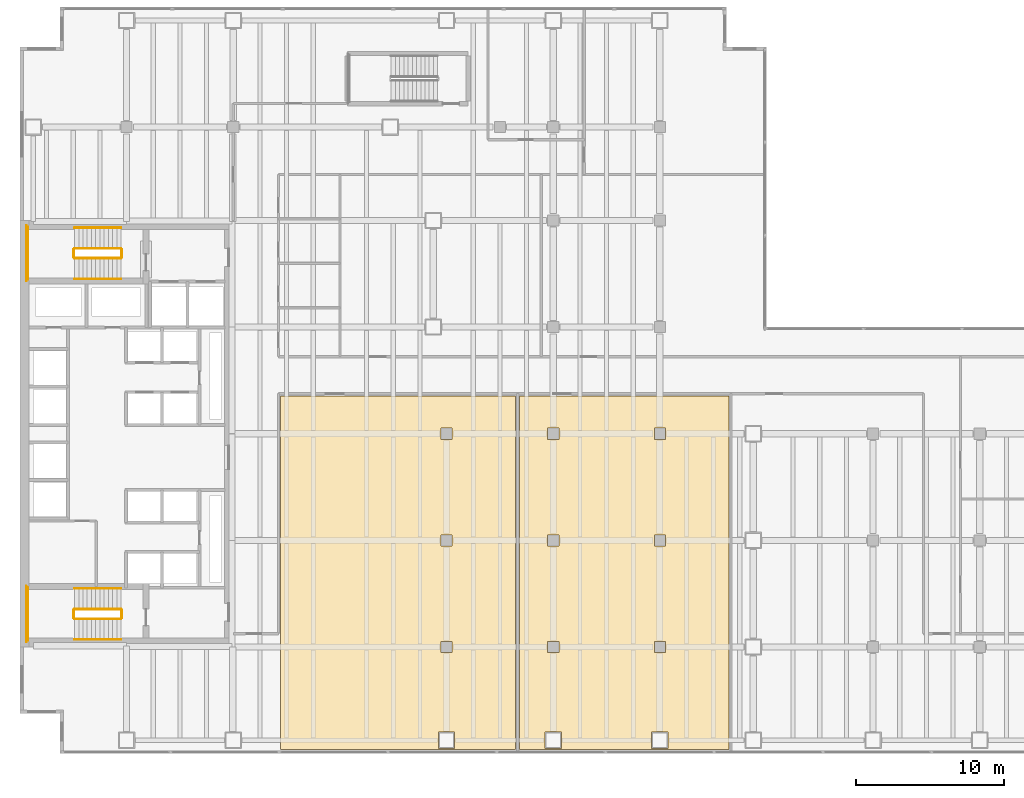
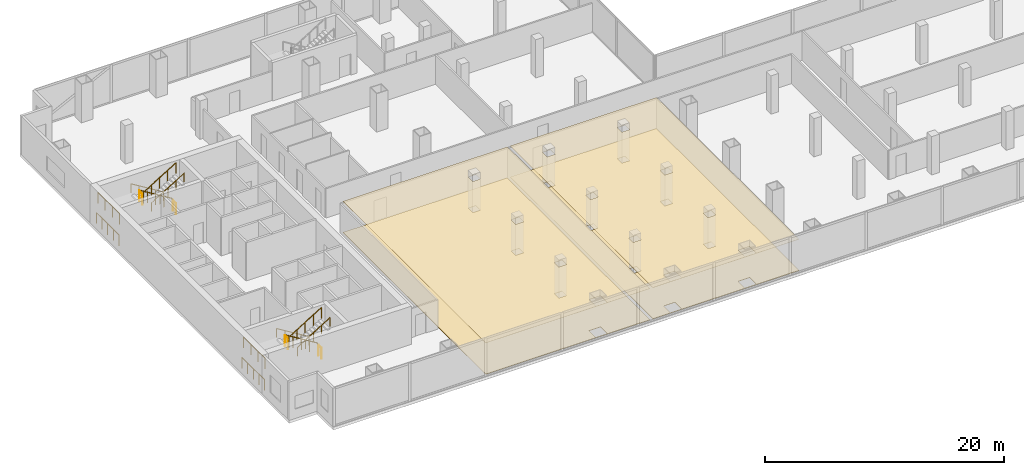
# One storey, part 27 of 28: 16 railings, 4 coverings.
"""IFC4 building model written with IfcOpenShell, lengths in metres."""

from ifc_helpers import new_model, si_unit, direction, frame, origin, origin_2d, place, context, subcontext, project, spatial, polyline, circle, outline, extrude, material, layer, layer_set, type_object, element, save


model = new_model("IFC4")

# Units and contexts
model_context = context("Model", 3, precision=1e-05, world=origin(), true_north=direction((0.0, 1.0)))
body_context = subcontext(model_context, "Body", "Model", "MODEL_VIEW")
ifc_project = project(units=[si_unit("LENGTHUNIT", "METRE"), si_unit("AREAUNIT", "SQUARE_METRE"), si_unit("VOLUMEUNIT", "CUBIC_METRE"), si_unit("PLANEANGLEUNIT", "RADIAN"), si_unit("MASSUNIT", "GRAM", prefix="KILO")], contexts=[model_context])

# Site, building, storey
site_placement = place(None, origin())
site = spatial("IfcSite", under=ifc_project, at=site_placement, CompositionType="ELEMENT")
building_placement = place(site_placement, origin())
building = spatial("IfcBuilding", under=site, at=building_placement, Name="Cobrela Telecom Tower", CompositionType="ELEMENT")
storey_placement = place(building_placement, frame((0.0, 0.0, 17.85009765625)))
storey = spatial("IfcBuildingStorey", under=building, at=storey_placement, Name="L04", CompositionType="ELEMENT", Elevation=17.85009765625)

# Coverings
ifc_material_1 = material(Name="Mineral Fibre Acoustic Ceiling Tile")
ifc_layer_1 = layer(ifc_material_1, 0.02490234375)
ifc_layer_set_1 = layer_set([ifc_layer_1], Name="Mineral Fibre Acoustic Ceiling Tile")
covering_type_1 = type_object("IfcCoveringType", Name="COV-CEIL-ACT", PredefinedType="CEILING", material=ifc_layer_set_1)
covering_1_placement = place(storey_placement, frame((0.0, 0.0, 3.18994140625)))
element("IfcCovering", 1, at=covering_1_placement, inside=storey, type_object=covering_type_1, Name="L04 Staff Fitness Gym Suspended Acoustic Ceiling", PredefinedType="CEILING", context=body_context, shape_type="SweptSolid", body=[
    extrude(outline(polyline([(33.4599609375, 0.2900390625), (17.590087890625, 0.2900390625), (17.590087890625, 24.159912109375), (33.4599609375, 24.159912109375), (33.4599609375, 0.2900390625)]), holes=[polyline([(29.35009765625, 0.35009765625), (29.35009765625, 1.449951171875), (28.25, 1.449951171875), (28.25, 0.35009765625), (29.35009765625, 0.35009765625)]), polyline([(28.425048828125, 6.824951171875), (29.175048828125, 6.824951171875), (29.175048828125, 7.574951171875), (28.425048828125, 7.574951171875), (28.425048828125, 6.824951171875)]), polyline([(29.175048828125, 14.02490234375), (29.175048828125, 14.77490234375), (28.425048828125, 14.77490234375), (28.425048828125, 14.02490234375), (29.175048828125, 14.02490234375)]), polyline([(28.425048828125, 21.22509765625), (29.175048828125, 21.22509765625), (29.175048828125, 21.97509765625), (28.425048828125, 21.97509765625), (28.425048828125, 21.22509765625)])]), origin(), (0.0, 0.0, 1.0), 0.02490234375),
])
covering_2_placement = place(storey_placement, frame((0.0, 0.0, 3.18994140625)))
element("IfcCovering", 2, at=covering_2_placement, inside=storey, type_object=covering_type_1, Name="L04 Collaboration Coffee Hub Suspended Acoustic Ceiling", PredefinedType="CEILING", context=body_context, shape_type="SweptSolid", body=[
    extrude(outline(polyline([(47.860107421875, 0.2900390625), (33.739990234375, 0.2900390625), (33.739990234375, 24.159912109375), (47.860107421875, 24.159912109375), (47.860107421875, 0.2900390625)]), holes=[polyline([(35.449951171875, 0.35009765625), (36.550048828125, 0.35009765625), (36.550048828125, 1.449951171875), (35.449951171875, 1.449951171875), (35.449951171875, 0.35009765625)]), polyline([(35.625, 6.824951171875), (36.375, 6.824951171875), (36.375, 7.574951171875), (35.625, 7.574951171875), (35.625, 6.824951171875)]), polyline([(42.64990234375, 0.35009765625), (43.75, 0.35009765625), (43.75, 1.449951171875), (42.64990234375, 1.449951171875), (42.64990234375, 0.35009765625)]), polyline([(42.824951171875, 6.824951171875), (43.574951171875, 6.824951171875), (43.574951171875, 7.574951171875), (42.824951171875, 7.574951171875), (42.824951171875, 6.824951171875)]), polyline([(42.824951171875, 14.02490234375), (43.574951171875, 14.02490234375), (43.574951171875, 14.77490234375), (42.824951171875, 14.77490234375), (42.824951171875, 14.02490234375)]), polyline([(35.625, 14.02490234375), (36.375, 14.02490234375), (36.375, 14.77490234375), (35.625, 14.77490234375), (35.625, 14.02490234375)]), polyline([(42.824951171875, 21.22509765625), (43.574951171875, 21.22509765625), (43.574951171875, 21.97509765625), (42.824951171875, 21.97509765625), (42.824951171875, 21.22509765625)]), polyline([(36.375, 21.22509765625), (36.375, 21.97509765625), (35.625, 21.97509765625), (35.625, 21.22509765625), (36.375, 21.22509765625)])]), origin(), (0.0, 0.0, 1.0), 0.02490234375),
])
ifc_material_2 = material(Name="Honed Colombian Basalt Stone", Category="masonry")
ifc_layer_2 = layer(ifc_material_2, 0.0400390625)
ifc_layer_set_2 = layer_set([ifc_layer_2], Name="Honed Colombian Basalt Stone")
covering_type_2 = type_object("IfcCoveringType", Name="COV-FLR-STONE", PredefinedType="FLOORING", material=ifc_layer_set_2)
covering_3_placement = place(storey_placement, origin())
element("IfcCovering", 3, at=covering_3_placement, inside=storey, type_object=covering_type_2, Name="L04 Staff Fitness Gym Raised Technical Flooring", PredefinedType="FLOORING", context=body_context, shape_type="SweptSolid", body=[
    extrude(outline(polyline([(33.4599609375, 0.2900390625), (17.590087890625, 0.2900390625), (17.590087890625, 24.159912109375), (33.4599609375, 24.159912109375), (33.4599609375, 0.2900390625)]), holes=[polyline([(29.35009765625, 0.35009765625), (29.35009765625, 1.449951171875), (28.25, 1.449951171875), (28.25, 0.35009765625), (29.35009765625, 0.35009765625)]), polyline([(28.425048828125, 6.824951171875), (29.175048828125, 6.824951171875), (29.175048828125, 7.574951171875), (28.425048828125, 7.574951171875), (28.425048828125, 6.824951171875)]), polyline([(29.175048828125, 14.02490234375), (29.175048828125, 14.77490234375), (28.425048828125, 14.77490234375), (28.425048828125, 14.02490234375), (29.175048828125, 14.02490234375)]), polyline([(28.425048828125, 21.22509765625), (29.175048828125, 21.22509765625), (29.175048828125, 21.97509765625), (28.425048828125, 21.97509765625), (28.425048828125, 21.22509765625)])]), origin(), (0.0, 0.0, 1.0), 0.039794921875),
])
covering_4_placement = place(storey_placement, origin())
element("IfcCovering", 4, at=covering_4_placement, inside=storey, type_object=covering_type_2, Name="L04 Collaboration Coffee Hub Raised Technical Flooring", PredefinedType="FLOORING", context=body_context, shape_type="SweptSolid", body=[
    extrude(outline(polyline([(47.860107421875, 0.2900390625), (33.739990234375, 0.2900390625), (33.739990234375, 24.159912109375), (47.860107421875, 24.159912109375), (47.860107421875, 0.2900390625)]), holes=[polyline([(35.449951171875, 0.35009765625), (36.550048828125, 0.35009765625), (36.550048828125, 1.449951171875), (35.449951171875, 1.449951171875), (35.449951171875, 0.35009765625)]), polyline([(35.625, 6.824951171875), (36.375, 6.824951171875), (36.375, 7.574951171875), (35.625, 7.574951171875), (35.625, 6.824951171875)]), polyline([(42.64990234375, 0.35009765625), (43.75, 0.35009765625), (43.75, 1.449951171875), (42.64990234375, 1.449951171875), (42.64990234375, 0.35009765625)]), polyline([(42.824951171875, 6.824951171875), (43.574951171875, 6.824951171875), (43.574951171875, 7.574951171875), (42.824951171875, 7.574951171875), (42.824951171875, 6.824951171875)]), polyline([(42.824951171875, 14.02490234375), (43.574951171875, 14.02490234375), (43.574951171875, 14.77490234375), (42.824951171875, 14.77490234375), (42.824951171875, 14.02490234375)]), polyline([(35.625, 14.02490234375), (36.375, 14.02490234375), (36.375, 14.77490234375), (35.625, 14.77490234375), (35.625, 14.02490234375)]), polyline([(42.824951171875, 21.22509765625), (43.574951171875, 21.22509765625), (43.574951171875, 21.97509765625), (42.824951171875, 21.97509765625), (42.824951171875, 21.22509765625)]), polyline([(36.375, 21.22509765625), (36.375, 21.97509765625), (35.625, 21.97509765625), (35.625, 21.22509765625), (36.375, 21.22509765625)])]), origin(), (0.0, 0.0, 1.0), 0.039794921875),
])

# Railings
ifc_material_3 = material(Name="Steel ASTM A36", Category="steel")
railing_type_1 = type_object("IfcRailingType", Name="RAIL-GUARD-1100", PredefinedType="GUARDRAIL", material=ifc_material_3)
railing_1_placement = place(storey_placement, frame((6.820068359375, 34.10009765625, 0.1748046875)))
element("IfcRailing", 5, at=railing_1_placement, inside=storey, type_object=railing_type_1, Name="L04 ST1 stair guard 1", PredefinedType="GUARDRAIL", context=body_context, shape_type="SweptSolid", body=[
    extrude(circle(Radius=0.02392578125, at=origin_2d()), frame((0.0, 0.0, 1.076171875), z_axis=(-0.852166034122, 0.0, 0.523271488128), x_axis=(0.0, -1.0, 0.0)), (0.0, 0.0, 1.0), 3.678955078125),
    extrude(circle(Radius=0.02099609375, at=origin_2d()), origin(), (0.0, 0.0, 1.0), 1.052001953125),
    extrude(circle(Radius=0.02099609375, at=origin_2d()), frame((-0.78369140625, 0.0, 0.481201171875)), (0.0, 0.0, 1.0), 1.052001953125),
    extrude(circle(Radius=0.02099609375, at=origin_2d()), frame((-1.5673828125, 0.0, 0.96240234375)), (0.0, 0.0, 1.0), 1.052001953125),
    extrude(circle(Radius=0.02099609375, at=origin_2d()), frame((-2.351318359375, 0.0, 1.44384765625)), (0.0, 0.0, 1.0), 1.052001953125),
    extrude(circle(Radius=0.02099609375, at=origin_2d()), frame((-3.135009765625, 0.0, 1.925048828125)), (0.0, 0.0, 1.0), 1.052001953125),
])
railing_2_placement = place(storey_placement, frame((3.635009765625, 34.050048828125, 2.099853515625)))
element("IfcRailing", 6, at=railing_2_placement, inside=storey, type_object=railing_type_1, Name="L04 ST1 stair guard 2", PredefinedType="GUARDRAIL", context=body_context, shape_type="SweptSolid", body=[
    extrude(circle(Radius=0.02392578125, at=origin_2d()), frame((0.0, 0.0, 1.076171875), z_axis=(0.0, -1.0, 0.0), x_axis=(1.0, 0.0, 0.0)), (0.0, 0.0, 1.0), 0.550048828125),
    extrude(circle(Radius=0.02099609375, at=origin_2d()), origin(), (0.0, 0.0, 1.0), 1.052001953125),
    extrude(circle(Radius=0.02099609375, at=origin_2d()), frame((0.0, -0.550048828125, 0.0)), (0.0, 0.0, 1.0), 1.052001953125),
])
railing_3_placement = place(storey_placement, frame((0.530029296875, 35.550048828125, 2.099853515625)))
element("IfcRailing", 7, at=railing_3_placement, inside=storey, type_object=railing_type_1, Name="L04 ST1 stair guard 3", PredefinedType="GUARDRAIL", context=body_context, shape_type="SweptSolid", body=[
    extrude(circle(Radius=0.02392578125, at=origin_2d()), frame((0.0, 0.0, 1.076171875), z_axis=(0.0, -1.0, 0.0), x_axis=(1.0, 0.0, 0.0)), (0.0, 0.0, 1.0), 3.550048828125),
    extrude(circle(Radius=0.02099609375, at=origin_2d()), origin(), (0.0, 0.0, 1.0), 1.052001953125),
    extrude(circle(Radius=0.02099609375, at=origin_2d()), frame((0.0, -1.183349609375, 0.0)), (0.0, 0.0, 1.0), 1.052001953125),
    extrude(circle(Radius=0.02099609375, at=origin_2d()), frame((0.0, -2.36669921875, 0.0)), (0.0, 0.0, 1.0), 1.052001953125),
    extrude(circle(Radius=0.02099609375, at=origin_2d()), frame((0.0, -3.550048828125, 0.0)), (0.0, 0.0, 1.0), 1.052001953125),
])
railing_4_placement = place(storey_placement, frame((3.68505859375, 33.449951171875, 2.27490234375)))
element("IfcRailing", 8, at=railing_4_placement, inside=storey, type_object=railing_type_1, Name="L04 ST1 stair guard 4", PredefinedType="GUARDRAIL", context=body_context, shape_type="SweptSolid", body=[
    extrude(circle(Radius=0.02392578125, at=origin_2d()), frame((0.0, 0.0, 1.076171875), z_axis=(0.852166034122, 0.0, 0.523271488128), x_axis=(0.0, 1.0, 0.0)), (0.0, 0.0, 1.0), 3.678955078125),
    extrude(circle(Radius=0.02099609375, at=origin_2d()), origin(), (0.0, 0.0, 1.0), 1.052001953125),
    extrude(circle(Radius=0.02099609375, at=origin_2d()), frame((0.78369140625, 0.0, 0.481201171875)), (0.0, 0.0, 1.0), 1.052001953125),
    extrude(circle(Radius=0.02099609375, at=origin_2d()), frame((1.5673828125, 0.0, 0.96240234375)), (0.0, 0.0, 1.0), 1.052001953125),
    extrude(circle(Radius=0.02099609375, at=origin_2d()), frame((2.351318359375, 0.0, 1.44384765625)), (0.0, 0.0, 1.0), 1.052001953125),
    extrude(circle(Radius=0.02099609375, at=origin_2d()), frame((3.135009765625, 0.0, 1.925048828125)), (0.0, 0.0, 1.0), 1.052001953125),
])
railing_5_placement = place(storey_placement, frame((6.8701171875, 34.050048828125, 0.0)))
element("IfcRailing", 9, at=railing_5_placement, inside=storey, type_object=railing_type_1, Name="L04 ST1 stair guard 5", PredefinedType="GUARDRAIL", context=body_context, shape_type="SweptSolid", body=[
    extrude(circle(Radius=0.02392578125, at=origin_2d()), frame((0.0, 0.0, 1.076171875), z_axis=(0.0, -1.0, 0.0), x_axis=(1.0, 0.0, 0.0)), (0.0, 0.0, 1.0), 0.550048828125),
    extrude(circle(Radius=0.02099609375, at=origin_2d()), origin(), (0.0, 0.0, 1.0), 1.052001953125),
    extrude(circle(Radius=0.02099609375, at=origin_2d()), frame((0.0, -0.550048828125, 0.0)), (0.0, 0.0, 1.0), 1.052001953125),
])
railing_6_placement = place(storey_placement, frame((0.429931640625, 35.64990234375, 0.0)))
element("IfcRailing", 10, at=railing_6_placement, inside=storey, type_object=railing_type_1, Name="L04 ST1 stair guard 6", PredefinedType="GUARDRAIL", context=body_context, shape_type="SweptSolid", body=[
    extrude(circle(Radius=0.02392578125, at=origin_2d()), frame((0.0, 0.0, 1.076171875), z_axis=(0.0, -1.0, 0.0), x_axis=(1.0, 0.0, 0.0)), (0.0, 0.0, 1.0), 3.75),
    extrude(circle(Radius=0.02099609375, at=origin_2d()), origin(), (0.0, 0.0, 1.0), 1.052001953125),
    extrude(circle(Radius=0.02099609375, at=origin_2d()), frame((0.0, -0.9375, 0.0)), (0.0, 0.0, 1.0), 1.052001953125),
    extrude(circle(Radius=0.02099609375, at=origin_2d()), frame((0.0, -1.875, 0.0)), (0.0, 0.0, 1.0), 1.052001953125),
    extrude(circle(Radius=0.02099609375, at=origin_2d()), frame((0.0, -2.8125, 0.0)), (0.0, 0.0, 1.0), 1.052001953125),
    extrude(circle(Radius=0.02099609375, at=origin_2d()), frame((0.0, -3.75, 0.0)), (0.0, 0.0, 1.0), 1.052001953125),
])
railing_7_placement = place(storey_placement, frame((6.820068359375, 9.75, 0.1748046875)))
element("IfcRailing", 11, at=railing_7_placement, inside=storey, type_object=railing_type_1, Name="L04 ST2 stair guard 1", PredefinedType="GUARDRAIL", context=body_context, shape_type="SweptSolid", body=[
    extrude(circle(Radius=0.02392578125, at=origin_2d()), frame((0.0, 0.0, 1.076171875), z_axis=(-0.852166034122, 0.0, 0.523271488128), x_axis=(0.0, -1.0, 0.0)), (0.0, 0.0, 1.0), 3.678955078125),
    extrude(circle(Radius=0.02099609375, at=origin_2d()), origin(), (0.0, 0.0, 1.0), 1.052001953125),
    extrude(circle(Radius=0.02099609375, at=origin_2d()), frame((-0.78369140625, 0.0, 0.481201171875)), (0.0, 0.0, 1.0), 1.052001953125),
    extrude(circle(Radius=0.02099609375, at=origin_2d()), frame((-1.5673828125, 0.0, 0.96240234375)), (0.0, 0.0, 1.0), 1.052001953125),
    extrude(circle(Radius=0.02099609375, at=origin_2d()), frame((-2.351318359375, 0.0, 1.44384765625)), (0.0, 0.0, 1.0), 1.052001953125),
    extrude(circle(Radius=0.02099609375, at=origin_2d()), frame((-3.135009765625, 0.0, 1.925048828125)), (0.0, 0.0, 1.0), 1.052001953125),
])
railing_8_placement = place(storey_placement, frame((3.635009765625, 9.699951171875, 2.099853515625)))
element("IfcRailing", 12, at=railing_8_placement, inside=storey, type_object=railing_type_1, Name="L04 ST2 stair guard 2", PredefinedType="GUARDRAIL", context=body_context, shape_type="SweptSolid", body=[
    extrude(circle(Radius=0.02392578125, at=origin_2d()), frame((0.0, 0.0, 1.076171875), z_axis=(0.0, -1.0, 0.0), x_axis=(1.0, 0.0, 0.0)), (0.0, 0.0, 1.0), 0.550048828125),
    extrude(circle(Radius=0.02099609375, at=origin_2d()), origin(), (0.0, 0.0, 1.0), 1.052001953125),
    extrude(circle(Radius=0.02099609375, at=origin_2d()), frame((0.0, -0.550048828125, 0.0)), (0.0, 0.0, 1.0), 1.052001953125),
])
railing_9_placement = place(storey_placement, frame((0.530029296875, 11.199951171875, 2.099853515625)))
element("IfcRailing", 13, at=railing_9_placement, inside=storey, type_object=railing_type_1, Name="L04 ST2 stair guard 3", PredefinedType="GUARDRAIL", context=body_context, shape_type="SweptSolid", body=[
    extrude(circle(Radius=0.02392578125, at=origin_2d()), frame((0.0, 0.0, 1.076171875), z_axis=(0.0, -1.0, 0.0), x_axis=(1.0, 0.0, 0.0)), (0.0, 0.0, 1.0), 3.550048828125),
    extrude(circle(Radius=0.02099609375, at=origin_2d()), origin(), (0.0, 0.0, 1.0), 1.052001953125),
    extrude(circle(Radius=0.02099609375, at=origin_2d()), frame((0.0, -1.183349609375, 0.0)), (0.0, 0.0, 1.0), 1.052001953125),
    extrude(circle(Radius=0.02099609375, at=origin_2d()), frame((0.0, -2.36669921875, 0.0)), (0.0, 0.0, 1.0), 1.052001953125),
    extrude(circle(Radius=0.02099609375, at=origin_2d()), frame((0.0, -3.550048828125, 0.0)), (0.0, 0.0, 1.0), 1.052001953125),
])
railing_10_placement = place(storey_placement, frame((3.68505859375, 9.10009765625, 2.27490234375)))
element("IfcRailing", 14, at=railing_10_placement, inside=storey, type_object=railing_type_1, Name="L04 ST2 stair guard 4", PredefinedType="GUARDRAIL", context=body_context, shape_type="SweptSolid", body=[
    extrude(circle(Radius=0.02392578125, at=origin_2d()), frame((0.0, 0.0, 1.076171875), z_axis=(0.852166034122, 0.0, 0.523271488128), x_axis=(0.0, 1.0, 0.0)), (0.0, 0.0, 1.0), 3.678955078125),
    extrude(circle(Radius=0.02099609375, at=origin_2d()), origin(), (0.0, 0.0, 1.0), 1.052001953125),
    extrude(circle(Radius=0.02099609375, at=origin_2d()), frame((0.78369140625, 0.0, 0.481201171875)), (0.0, 0.0, 1.0), 1.052001953125),
    extrude(circle(Radius=0.02099609375, at=origin_2d()), frame((1.5673828125, 0.0, 0.96240234375)), (0.0, 0.0, 1.0), 1.052001953125),
    extrude(circle(Radius=0.02099609375, at=origin_2d()), frame((2.351318359375, 0.0, 1.44384765625)), (0.0, 0.0, 1.0), 1.052001953125),
    extrude(circle(Radius=0.02099609375, at=origin_2d()), frame((3.135009765625, 0.0, 1.925048828125)), (0.0, 0.0, 1.0), 1.052001953125),
])
railing_11_placement = place(storey_placement, frame((6.8701171875, 9.699951171875, 0.0)))
element("IfcRailing", 15, at=railing_11_placement, inside=storey, type_object=railing_type_1, Name="L04 ST2 stair guard 5", PredefinedType="GUARDRAIL", context=body_context, shape_type="SweptSolid", body=[
    extrude(circle(Radius=0.02392578125, at=origin_2d()), frame((0.0, 0.0, 1.076171875), z_axis=(0.0, -1.0, 0.0), x_axis=(1.0, 0.0, 0.0)), (0.0, 0.0, 1.0), 0.550048828125),
    extrude(circle(Radius=0.02099609375, at=origin_2d()), origin(), (0.0, 0.0, 1.0), 1.052001953125),
    extrude(circle(Radius=0.02099609375, at=origin_2d()), frame((0.0, -0.550048828125, 0.0)), (0.0, 0.0, 1.0), 1.052001953125),
])
railing_12_placement = place(storey_placement, frame((0.429931640625, 11.300048828125, 0.0)))
element("IfcRailing", 16, at=railing_12_placement, inside=storey, type_object=railing_type_1, Name="L04 ST2 stair guard 6", PredefinedType="GUARDRAIL", context=body_context, shape_type="SweptSolid", body=[
    extrude(circle(Radius=0.02392578125, at=origin_2d()), frame((0.0, 0.0, 1.076171875), z_axis=(0.0, -1.0, 0.0), x_axis=(1.0, 0.0, 0.0)), (0.0, 0.0, 1.0), 3.75),
    extrude(circle(Radius=0.02099609375, at=origin_2d()), origin(), (0.0, 0.0, 1.0), 1.052001953125),
    extrude(circle(Radius=0.02099609375, at=origin_2d()), frame((0.0, -0.9375, 0.0)), (0.0, 0.0, 1.0), 1.052001953125),
    extrude(circle(Radius=0.02099609375, at=origin_2d()), frame((0.0, -1.875, 0.0)), (0.0, 0.0, 1.0), 1.052001953125),
    extrude(circle(Radius=0.02099609375, at=origin_2d()), frame((0.0, -2.8125, 0.0)), (0.0, 0.0, 1.0), 1.052001953125),
    extrude(circle(Radius=0.02099609375, at=origin_2d()), frame((0.0, -3.75, 0.0)), (0.0, 0.0, 1.0), 1.052001953125),
])
railing_type_2 = type_object("IfcRailingType", Name="RAIL-HAND-920", PredefinedType="HANDRAIL", material=ifc_material_3)
railing_13_placement = place(storey_placement, frame((6.820068359375, 35.5, 0.1748046875)))
element("IfcRailing", 17, at=railing_13_placement, inside=storey, type_object=railing_type_2, Name="L04 ST1 stair handrail 1", PredefinedType="HANDRAIL", context=body_context, shape_type="SweptSolid", body=[
    extrude(circle(Radius=0.02392578125, at=origin_2d()), frame((0.0, 0.0, 0.8759765625), z_axis=(-0.852166034122, 0.0, 0.523271488128), x_axis=(0.0, -1.0, 0.0)), (0.0, 0.0, 1.0), 3.678955078125),
    extrude(circle(Radius=0.02099609375, at=origin_2d()), origin(), (0.0, 0.0, 1.0), 0.851806640625),
    extrude(circle(Radius=0.02099609375, at=origin_2d()), frame((-0.78369140625, 0.0, 0.481201171875)), (0.0, 0.0, 1.0), 0.851806640625),
    extrude(circle(Radius=0.02099609375, at=origin_2d()), frame((-1.5673828125, 0.0, 0.96240234375)), (0.0, 0.0, 1.0), 0.851806640625),
    extrude(circle(Radius=0.02099609375, at=origin_2d()), frame((-2.351318359375, 0.0, 1.44384765625)), (0.0, 0.0, 1.0), 0.851806640625),
    extrude(circle(Radius=0.02099609375, at=origin_2d()), frame((-3.135009765625, 0.0, 1.925048828125)), (0.0, 0.0, 1.0), 0.851806640625),
])
railing_14_placement = place(storey_placement, frame((3.68505859375, 32.050048828125, 2.27490234375)))
element("IfcRailing", 18, at=railing_14_placement, inside=storey, type_object=railing_type_2, Name="L04 ST1 stair handrail 2", PredefinedType="HANDRAIL", context=body_context, shape_type="SweptSolid", body=[
    extrude(circle(Radius=0.02392578125, at=origin_2d()), frame((0.0, 0.0, 0.8759765625), z_axis=(0.852166034122, 0.0, 0.523271488128), x_axis=(0.0, 1.0, 0.0)), (0.0, 0.0, 1.0), 3.678955078125),
    extrude(circle(Radius=0.02099609375, at=origin_2d()), origin(), (0.0, 0.0, 1.0), 0.851806640625),
    extrude(circle(Radius=0.02099609375, at=origin_2d()), frame((0.78369140625, 0.0, 0.481201171875)), (0.0, 0.0, 1.0), 0.851806640625),
    extrude(circle(Radius=0.02099609375, at=origin_2d()), frame((1.5673828125, 0.0, 0.96240234375)), (0.0, 0.0, 1.0), 0.851806640625),
    extrude(circle(Radius=0.02099609375, at=origin_2d()), frame((2.351318359375, 0.0, 1.44384765625)), (0.0, 0.0, 1.0), 0.851806640625),
    extrude(circle(Radius=0.02099609375, at=origin_2d()), frame((3.135009765625, 0.0, 1.925048828125)), (0.0, 0.0, 1.0), 0.851806640625),
])
railing_15_placement = place(storey_placement, frame((6.820068359375, 11.14990234375, 0.1748046875)))
element("IfcRailing", 19, at=railing_15_placement, inside=storey, type_object=railing_type_2, Name="L04 ST2 stair handrail 1", PredefinedType="HANDRAIL", context=body_context, shape_type="SweptSolid", body=[
    extrude(circle(Radius=0.02392578125, at=origin_2d()), frame((0.0, 0.0, 0.8759765625), z_axis=(-0.852166034122, 0.0, 0.523271488128), x_axis=(0.0, -1.0, 0.0)), (0.0, 0.0, 1.0), 3.678955078125),
    extrude(circle(Radius=0.02099609375, at=origin_2d()), origin(), (0.0, 0.0, 1.0), 0.851806640625),
    extrude(circle(Radius=0.02099609375, at=origin_2d()), frame((-0.78369140625, 0.0, 0.481201171875)), (0.0, 0.0, 1.0), 0.851806640625),
    extrude(circle(Radius=0.02099609375, at=origin_2d()), frame((-1.5673828125, 0.0, 0.96240234375)), (0.0, 0.0, 1.0), 0.851806640625),
    extrude(circle(Radius=0.02099609375, at=origin_2d()), frame((-2.351318359375, 0.0, 1.44384765625)), (0.0, 0.0, 1.0), 0.851806640625),
    extrude(circle(Radius=0.02099609375, at=origin_2d()), frame((-3.135009765625, 0.0, 1.925048828125)), (0.0, 0.0, 1.0), 0.851806640625),
])
railing_16_placement = place(storey_placement, frame((3.68505859375, 7.699951171875, 2.27490234375)))
element("IfcRailing", 20, at=railing_16_placement, inside=storey, type_object=railing_type_2, Name="L04 ST2 stair handrail 2", PredefinedType="HANDRAIL", context=body_context, shape_type="SweptSolid", body=[
    extrude(circle(Radius=0.02392578125, at=origin_2d()), frame((0.0, 0.0, 0.8759765625), z_axis=(0.852166034122, 0.0, 0.523271488128), x_axis=(0.0, 1.0, 0.0)), (0.0, 0.0, 1.0), 3.678955078125),
    extrude(circle(Radius=0.02099609375, at=origin_2d()), origin(), (0.0, 0.0, 1.0), 0.851806640625),
    extrude(circle(Radius=0.02099609375, at=origin_2d()), frame((0.78369140625, 0.0, 0.481201171875)), (0.0, 0.0, 1.0), 0.851806640625),
    extrude(circle(Radius=0.02099609375, at=origin_2d()), frame((1.5673828125, 0.0, 0.96240234375)), (0.0, 0.0, 1.0), 0.851806640625),
    extrude(circle(Radius=0.02099609375, at=origin_2d()), frame((2.351318359375, 0.0, 1.44384765625)), (0.0, 0.0, 1.0), 0.851806640625),
    extrude(circle(Radius=0.02099609375, at=origin_2d()), frame((3.135009765625, 0.0, 1.925048828125)), (0.0, 0.0, 1.0), 0.851806640625),
])

save(model, "model.ifc")
